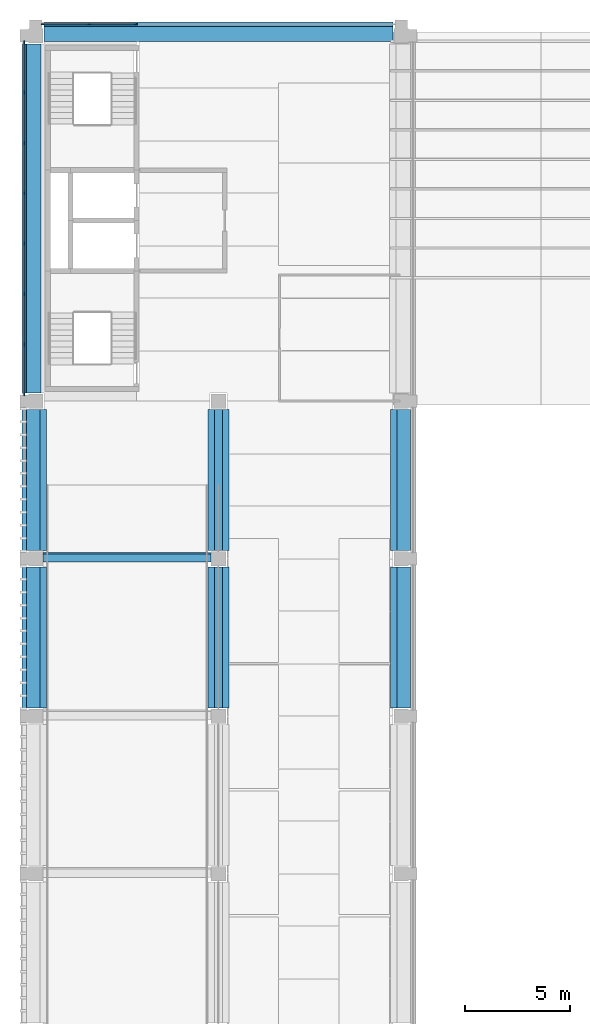
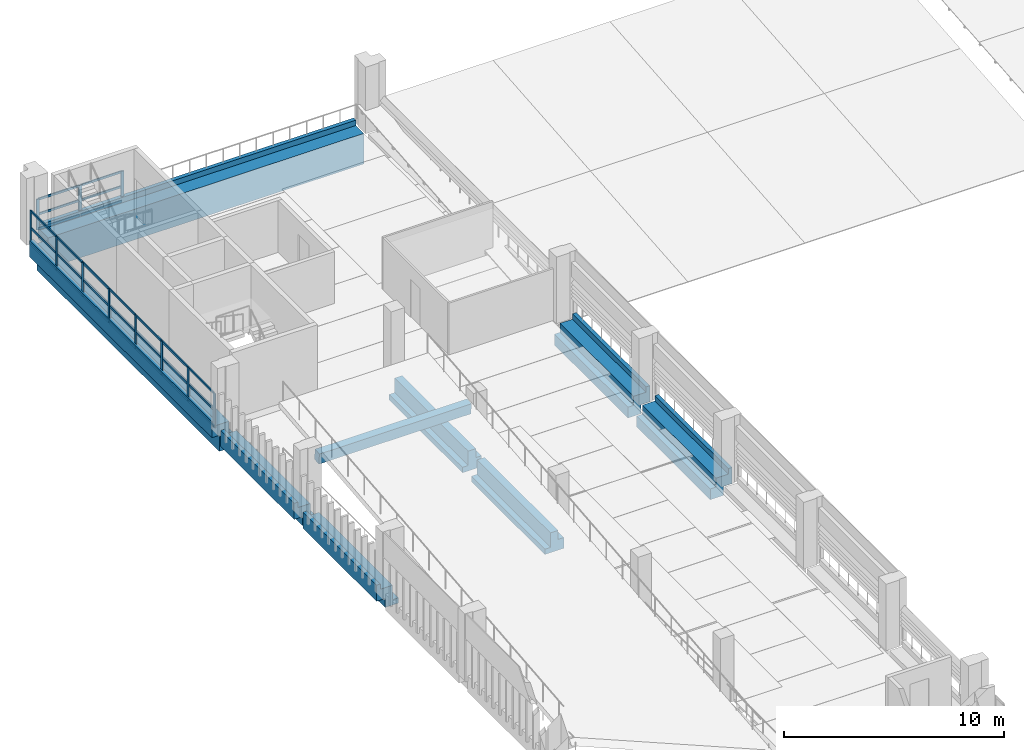
# One storey, part 3 of 24: 38 members, 9 beams, 2 elements without a shape of their own.
"""IFC4 building model written with IfcOpenShell, lengths in metres."""

from ifc_helpers import new_model, si_unit, direction, frame, origin, origin_2d, place, context, subcontext, project, spatial, polyline, rectangle, outline, extrude, material, layer, layer_set, material_profile, profile_set, type_object, element, aggregate, save


model = new_model("IFC4")

# Units and contexts
model_context = context("Model", 3, precision=1e-05, world=origin(), true_north=direction((0.0, 1.0)))
body_context = subcontext(model_context, "Body", "Model", "MODEL_VIEW")
ifc_project = project(units=[si_unit("LENGTHUNIT", "METRE"), si_unit("AREAUNIT", "SQUARE_METRE"), si_unit("VOLUMEUNIT", "CUBIC_METRE"), si_unit("PLANEANGLEUNIT", "RADIAN"), si_unit("MASSUNIT", "GRAM", prefix="KILO")], contexts=[model_context])

# Site, building, storey
site_placement = place(None, origin())
site = spatial("IfcSite", under=ifc_project, at=site_placement, CompositionType="ELEMENT")
building_placement = place(site_placement, origin())
building = spatial("IfcBuilding", under=site, at=building_placement, Name="Cour d'Honneur Mobility Palace", CompositionType="ELEMENT")
storey_placement = place(building_placement, frame((0.0, 0.0, 26.699951171875)))
storey = spatial("IfcBuildingStorey", under=building, at=storey_placement, Name="L07", CompositionType="ELEMENT", Elevation=26.699951171875)

# Curtain wall, members
ifc_material_1 = material(Name="Aluminium and glass", Category="aluminium")
ifc_layer = layer(ifc_material_1, 0.10009765625)
ifc_layer_set = layer_set([ifc_layer], Name="Aluminium and glass")
curtain_wall_type = type_object("IfcCurtainWallType", Name="Curtain wall run", PredefinedType="NOTDEFINED", material=ifc_layer_set)
curtain_wall_1_placement = place(storey_placement, origin())
curtain_wall_1 = element("IfcCurtainWall", 1, at=curtain_wall_1_placement, inside=storey, type_object=curtain_wall_type, Name="Curtain wall CW-108", PredefinedType="NOTDEFINED")
ifc_material_2 = material(Name="Aluminium", Category="aluminium")
ifc_material_profile_1 = material_profile(ifc_material_2, rectangle(XDim=0.06005859375, YDim=0.159912109375, at=origin_2d()), Name="Curtain wall mullion")
ifc_profile_set_1 = profile_set([ifc_material_profile_1], Name="Aluminium")
member_type_1 = type_object("IfcMemberType", Name="Curtain wall mullion", PredefinedType="MULLION", material=ifc_profile_set_1)
member_1_placement = place(storey_placement, frame((4.77001953125, 62.949951171875, 0.0), z_axis=(0.0, 0.0, 1.0), x_axis=(0.0, -1.0, 0.0)))
member_1 = element("IfcMember", 2, at=member_1_placement, type_object=member_type_1, Name="CW-108 mullion 1", PredefinedType="MULLION", context=body_context, shape_type="SweptSolid", body=[
    extrude(rectangle(XDim=0.06005859375, YDim=0.159912109375, at=origin_2d()), origin(), (0.0, 0.0, 1.0), 1.699951171875),
])
member_2_placement = place(storey_placement, frame((2.550048828125, 62.949951171875, 0.0), z_axis=(0.0, 0.0, 1.0), x_axis=(0.0, -1.0, 0.0)))
member_2 = element("IfcMember", 3, at=member_2_placement, type_object=member_type_1, Name="CW-108 mullion 2", PredefinedType="MULLION", context=body_context, shape_type="SweptSolid", body=[
    extrude(rectangle(XDim=0.06005859375, YDim=0.159912109375, at=origin_2d()), origin(), (0.0, 0.0, 1.0), 1.699951171875),
])
member_3_placement = place(storey_placement, frame((0.330078125, 62.949951171875, 0.0), z_axis=(0.0, 0.0, 1.0), x_axis=(0.0, -1.0, 0.0)))
member_3 = element("IfcMember", 4, at=member_3_placement, type_object=member_type_1, Name="CW-108 mullion 3", PredefinedType="MULLION", context=body_context, shape_type="SweptSolid", body=[
    extrude(rectangle(XDim=0.06005859375, YDim=0.159912109375, at=origin_2d()), origin(), (0.0, 0.0, 1.0), 1.699951171875),
])

curtain_wall_2_placement = place(storey_placement, origin())
curtain_wall_2 = element("IfcCurtainWall", 5, at=curtain_wall_2_placement, inside=storey, type_object=curtain_wall_type, Name="Curtain wall CW-109", PredefinedType="NOTDEFINED")
member_4_placement = place(storey_placement, frame((-0.550048828125, 62.070068359375, 0.0), z_axis=(0.0, 0.0, 1.0), x_axis=(1.0, 0.0, 0.0)))
member_4 = element("IfcMember", 6, at=member_4_placement, type_object=member_type_1, Name="CW-109 mullion 1", PredefinedType="MULLION", context=body_context, shape_type="SweptSolid", body=[
    extrude(rectangle(XDim=0.06005859375, YDim=0.159912109375, at=origin_2d()), origin(), (0.0, 0.0, 1.0), 1.900146484375),
])
member_5_placement = place(storey_placement, frame((-0.550048828125, 59.699951171875, 0.0), z_axis=(0.0, 0.0, 1.0), x_axis=(1.0, 0.0, 0.0)))
member_5 = element("IfcMember", 7, at=member_5_placement, type_object=member_type_1, Name="CW-109 mullion 2", PredefinedType="MULLION", context=body_context, shape_type="SweptSolid", body=[
    extrude(rectangle(XDim=0.06005859375, YDim=0.159912109375, at=origin_2d()), origin(), (0.0, 0.0, 1.0), 1.900146484375),
])
member_6_placement = place(storey_placement, frame((-0.550048828125, 57.300048828125, 0.0), z_axis=(0.0, 0.0, 1.0), x_axis=(1.0, 0.0, 0.0)))
member_6 = element("IfcMember", 8, at=member_6_placement, type_object=member_type_1, Name="CW-109 mullion 3", PredefinedType="MULLION", context=body_context, shape_type="SweptSolid", body=[
    extrude(rectangle(XDim=0.06005859375, YDim=0.159912109375, at=origin_2d()), origin(), (0.0, 0.0, 1.0), 1.900146484375),
])
member_7_placement = place(storey_placement, frame((-0.550048828125, 54.89990234375, 0.0), z_axis=(0.0, 0.0, 1.0), x_axis=(1.0, 0.0, 0.0)))
member_7 = element("IfcMember", 9, at=member_7_placement, type_object=member_type_1, Name="CW-109 mullion 4", PredefinedType="MULLION", context=body_context, shape_type="SweptSolid", body=[
    extrude(rectangle(XDim=0.06005859375, YDim=0.159912109375, at=origin_2d()), origin(), (0.0, 0.0, 1.0), 1.900146484375),
])
member_8_placement = place(storey_placement, frame((-0.550048828125, 52.5, 0.0), z_axis=(0.0, 0.0, 1.0), x_axis=(1.0, 0.0, 0.0)))
member_8 = element("IfcMember", 10, at=member_8_placement, type_object=member_type_1, Name="CW-109 mullion 5", PredefinedType="MULLION", context=body_context, shape_type="SweptSolid", body=[
    extrude(rectangle(XDim=0.06005859375, YDim=0.159912109375, at=origin_2d()), origin(), (0.0, 0.0, 1.0), 1.900146484375),
])
member_9_placement = place(storey_placement, frame((-0.550048828125, 50.10009765625, 0.0), z_axis=(0.0, 0.0, 1.0), x_axis=(1.0, 0.0, 0.0)))
member_9 = element("IfcMember", 11, at=member_9_placement, type_object=member_type_1, Name="CW-109 mullion 6", PredefinedType="MULLION", context=body_context, shape_type="SweptSolid", body=[
    extrude(rectangle(XDim=0.06005859375, YDim=0.159912109375, at=origin_2d()), origin(), (0.0, 0.0, 1.0), 1.900146484375),
])
member_10_placement = place(storey_placement, frame((-0.550048828125, 47.699951171875, 0.0), z_axis=(0.0, 0.0, 1.0), x_axis=(1.0, 0.0, 0.0)))
member_10 = element("IfcMember", 12, at=member_10_placement, type_object=member_type_1, Name="CW-109 mullion 7", PredefinedType="MULLION", context=body_context, shape_type="SweptSolid", body=[
    extrude(rectangle(XDim=0.06005859375, YDim=0.159912109375, at=origin_2d()), origin(), (0.0, 0.0, 1.0), 1.900146484375),
])
member_11_placement = place(storey_placement, frame((-0.550048828125, 45.330078125, 0.0), z_axis=(0.0, 0.0, 1.0), x_axis=(1.0, 0.0, 0.0)))
member_11 = element("IfcMember", 13, at=member_11_placement, type_object=member_type_1, Name="CW-109 mullion 8", PredefinedType="MULLION", context=body_context, shape_type="SweptSolid", body=[
    extrude(rectangle(XDim=0.06005859375, YDim=0.159912109375, at=origin_2d()), origin(), (0.0, 0.0, 1.0), 1.900146484375),
])

# Member
ifc_material_3 = material(Name="Aluminium", Category="aluminium")
ifc_material_profile_2 = material_profile(ifc_material_3, rectangle(XDim=0.06005859375, YDim=0.1201171875, at=origin_2d()), Name="Curtain wall transom")
ifc_profile_set_2 = profile_set([ifc_material_profile_2], Name="Aluminium")
member_type_2 = type_object("IfcMemberType", Name="Curtain wall transom", PredefinedType="USERDEFINED", material=ifc_profile_set_2)
member_12_placement = place(storey_placement, frame((4.739990234375, 62.949951171875, 0.030029296875), z_axis=(-1.0, 0.0, 0.0), x_axis=(0.0, -1.0, 0.0)))
member_12 = element("IfcMember", 14, at=member_12_placement, type_object=member_type_2, Name="CW-108 transom 1.1", ObjectType="TRANSOM", PredefinedType="USERDEFINED", context=body_context, shape_type="SweptSolid", body=[
    extrude(rectangle(XDim=0.06005859375, YDim=0.1201171875, at=origin_2d()), origin(), (0.0, 0.0, 1.0), 2.159912109375),
])

member_13_placement = place(storey_placement, frame((4.739990234375, 62.949951171875, 0.85009765625), z_axis=(-1.0, 0.0, 0.0), x_axis=(0.0, -1.0, 0.0)))
member_13 = element("IfcMember", 15, at=member_13_placement, type_object=member_type_2, Name="CW-108 transom 1.2", ObjectType="TRANSOM", PredefinedType="USERDEFINED", context=body_context, shape_type="SweptSolid", body=[
    extrude(rectangle(XDim=0.06005859375, YDim=0.1201171875, at=origin_2d()), origin(), (0.0, 0.0, 1.0), 2.159912109375),
])

member_14_placement = place(storey_placement, frame((4.739990234375, 62.949951171875, 1.670166015625), z_axis=(-1.0, 0.0, 0.0), x_axis=(0.0, -1.0, 0.0)))
member_14 = element("IfcMember", 16, at=member_14_placement, type_object=member_type_2, Name="CW-108 transom 1.3", ObjectType="TRANSOM", PredefinedType="USERDEFINED", context=body_context, shape_type="SweptSolid", body=[
    extrude(rectangle(XDim=0.06005859375, YDim=0.1201171875, at=origin_2d()), origin(), (0.0, 0.0, 1.0), 2.159912109375),
])

member_15_placement = place(storey_placement, frame((2.52001953125, 62.949951171875, 0.030029296875), z_axis=(-1.0, 0.0, 0.0), x_axis=(0.0, -1.0, 0.0)))
member_15 = element("IfcMember", 17, at=member_15_placement, type_object=member_type_2, Name="CW-108 transom 2.1", ObjectType="TRANSOM", PredefinedType="USERDEFINED", context=body_context, shape_type="SweptSolid", body=[
    extrude(rectangle(XDim=0.06005859375, YDim=0.1201171875, at=origin_2d()), origin(), (0.0, 0.0, 1.0), 2.159912109375),
])

member_16_placement = place(storey_placement, frame((2.52001953125, 62.949951171875, 0.85009765625), z_axis=(-1.0, 0.0, 0.0), x_axis=(0.0, -1.0, 0.0)))
member_16 = element("IfcMember", 18, at=member_16_placement, type_object=member_type_2, Name="CW-108 transom 2.2", ObjectType="TRANSOM", PredefinedType="USERDEFINED", context=body_context, shape_type="SweptSolid", body=[
    extrude(rectangle(XDim=0.06005859375, YDim=0.1201171875, at=origin_2d()), origin(), (0.0, 0.0, 1.0), 2.159912109375),
])

member_17_placement = place(storey_placement, frame((2.52001953125, 62.949951171875, 1.670166015625), z_axis=(-1.0, 0.0, 0.0), x_axis=(0.0, -1.0, 0.0)))
member_17 = element("IfcMember", 19, at=member_17_placement, type_object=member_type_2, Name="CW-108 transom 2.3", ObjectType="TRANSOM", PredefinedType="USERDEFINED", context=body_context, shape_type="SweptSolid", body=[
    extrude(rectangle(XDim=0.06005859375, YDim=0.1201171875, at=origin_2d()), origin(), (0.0, 0.0, 1.0), 2.159912109375),
])

aggregate(curtain_wall_1, [member_1, member_2, member_3, member_12, member_13, member_14, member_15, member_16, member_17])

member_18_placement = place(storey_placement, frame((-0.550048828125, 62.0400390625, 0.030029296875), z_axis=(0.0, -1.0, 0.0), x_axis=(1.0, 0.0, 0.0)))
member_18 = element("IfcMember", 20, at=member_18_placement, type_object=member_type_2, Name="CW-109 transom 1.1", ObjectType="TRANSOM", PredefinedType="USERDEFINED", context=body_context, shape_type="SweptSolid", body=[
    extrude(rectangle(XDim=0.06005859375, YDim=0.1201171875, at=origin_2d()), origin(), (0.0, 0.0, 1.0), 2.31005859375),
])

member_19_placement = place(storey_placement, frame((-0.550048828125, 62.0400390625, 0.949951171875), z_axis=(0.0, -1.0, 0.0), x_axis=(1.0, 0.0, 0.0)))
member_19 = element("IfcMember", 21, at=member_19_placement, type_object=member_type_2, Name="CW-109 transom 1.2", ObjectType="TRANSOM", PredefinedType="USERDEFINED", context=body_context, shape_type="SweptSolid", body=[
    extrude(rectangle(XDim=0.06005859375, YDim=0.1201171875, at=origin_2d()), origin(), (0.0, 0.0, 1.0), 2.31005859375),
])

member_20_placement = place(storey_placement, frame((-0.550048828125, 62.0400390625, 1.8701171875), z_axis=(0.0, -1.0, 0.0), x_axis=(1.0, 0.0, 0.0)))
member_20 = element("IfcMember", 22, at=member_20_placement, type_object=member_type_2, Name="CW-109 transom 1.3", ObjectType="TRANSOM", PredefinedType="USERDEFINED", context=body_context, shape_type="SweptSolid", body=[
    extrude(rectangle(XDim=0.06005859375, YDim=0.1201171875, at=origin_2d()), origin(), (0.0, 0.0, 1.0), 2.31005859375),
])

member_21_placement = place(storey_placement, frame((-0.550048828125, 59.669921875, 0.030029296875), z_axis=(0.0, -1.0, 0.0), x_axis=(1.0, 0.0, 0.0)))
member_21 = element("IfcMember", 23, at=member_21_placement, type_object=member_type_2, Name="CW-109 transom 2.1", ObjectType="TRANSOM", PredefinedType="USERDEFINED", context=body_context, shape_type="SweptSolid", body=[
    extrude(rectangle(XDim=0.06005859375, YDim=0.1201171875, at=origin_2d()), origin(), (0.0, 0.0, 1.0), 2.33984375),
])

member_22_placement = place(storey_placement, frame((-0.550048828125, 59.669921875, 0.949951171875), z_axis=(0.0, -1.0, 0.0), x_axis=(1.0, 0.0, 0.0)))
member_22 = element("IfcMember", 24, at=member_22_placement, type_object=member_type_2, Name="CW-109 transom 2.2", ObjectType="TRANSOM", PredefinedType="USERDEFINED", context=body_context, shape_type="SweptSolid", body=[
    extrude(rectangle(XDim=0.06005859375, YDim=0.1201171875, at=origin_2d()), origin(), (0.0, 0.0, 1.0), 2.33984375),
])

member_23_placement = place(storey_placement, frame((-0.550048828125, 59.669921875, 1.8701171875), z_axis=(0.0, -1.0, 0.0), x_axis=(1.0, 0.0, 0.0)))
member_23 = element("IfcMember", 25, at=member_23_placement, type_object=member_type_2, Name="CW-109 transom 2.3", ObjectType="TRANSOM", PredefinedType="USERDEFINED", context=body_context, shape_type="SweptSolid", body=[
    extrude(rectangle(XDim=0.06005859375, YDim=0.1201171875, at=origin_2d()), origin(), (0.0, 0.0, 1.0), 2.33984375),
])

member_24_placement = place(storey_placement, frame((-0.550048828125, 57.27001953125, 0.030029296875), z_axis=(0.0, -1.0, 0.0), x_axis=(1.0, 0.0, 0.0)))
member_24 = element("IfcMember", 26, at=member_24_placement, type_object=member_type_2, Name="CW-109 transom 3.1", ObjectType="TRANSOM", PredefinedType="USERDEFINED", context=body_context, shape_type="SweptSolid", body=[
    extrude(rectangle(XDim=0.06005859375, YDim=0.1201171875, at=origin_2d()), origin(), (0.0, 0.0, 1.0), 2.340087890625),
])

member_25_placement = place(storey_placement, frame((-0.550048828125, 57.27001953125, 0.949951171875), z_axis=(0.0, -1.0, 0.0), x_axis=(1.0, 0.0, 0.0)))
member_25 = element("IfcMember", 27, at=member_25_placement, type_object=member_type_2, Name="CW-109 transom 3.2", ObjectType="TRANSOM", PredefinedType="USERDEFINED", context=body_context, shape_type="SweptSolid", body=[
    extrude(rectangle(XDim=0.06005859375, YDim=0.1201171875, at=origin_2d()), origin(), (0.0, 0.0, 1.0), 2.340087890625),
])

member_26_placement = place(storey_placement, frame((-0.550048828125, 57.27001953125, 1.8701171875), z_axis=(0.0, -1.0, 0.0), x_axis=(1.0, 0.0, 0.0)))
member_26 = element("IfcMember", 28, at=member_26_placement, type_object=member_type_2, Name="CW-109 transom 3.3", ObjectType="TRANSOM", PredefinedType="USERDEFINED", context=body_context, shape_type="SweptSolid", body=[
    extrude(rectangle(XDim=0.06005859375, YDim=0.1201171875, at=origin_2d()), origin(), (0.0, 0.0, 1.0), 2.340087890625),
])

member_27_placement = place(storey_placement, frame((-0.550048828125, 54.8701171875, 0.030029296875), z_axis=(0.0, -1.0, 0.0), x_axis=(1.0, 0.0, 0.0)))
member_27 = element("IfcMember", 29, at=member_27_placement, type_object=member_type_2, Name="CW-109 transom 4.1", ObjectType="TRANSOM", PredefinedType="USERDEFINED", context=body_context, shape_type="SweptSolid", body=[
    extrude(rectangle(XDim=0.06005859375, YDim=0.1201171875, at=origin_2d()), origin(), (0.0, 0.0, 1.0), 2.340087890625),
])

member_28_placement = place(storey_placement, frame((-0.550048828125, 54.8701171875, 0.949951171875), z_axis=(0.0, -1.0, 0.0), x_axis=(1.0, 0.0, 0.0)))
member_28 = element("IfcMember", 30, at=member_28_placement, type_object=member_type_2, Name="CW-109 transom 4.2", ObjectType="TRANSOM", PredefinedType="USERDEFINED", context=body_context, shape_type="SweptSolid", body=[
    extrude(rectangle(XDim=0.06005859375, YDim=0.1201171875, at=origin_2d()), origin(), (0.0, 0.0, 1.0), 2.340087890625),
])

member_29_placement = place(storey_placement, frame((-0.550048828125, 54.8701171875, 1.8701171875), z_axis=(0.0, -1.0, 0.0), x_axis=(1.0, 0.0, 0.0)))
member_29 = element("IfcMember", 31, at=member_29_placement, type_object=member_type_2, Name="CW-109 transom 4.3", ObjectType="TRANSOM", PredefinedType="USERDEFINED", context=body_context, shape_type="SweptSolid", body=[
    extrude(rectangle(XDim=0.06005859375, YDim=0.1201171875, at=origin_2d()), origin(), (0.0, 0.0, 1.0), 2.340087890625),
])

member_30_placement = place(storey_placement, frame((-0.550048828125, 52.469970703125, 0.030029296875), z_axis=(0.0, -1.0, 0.0), x_axis=(1.0, 0.0, 0.0)))
member_30 = element("IfcMember", 32, at=member_30_placement, type_object=member_type_2, Name="CW-109 transom 5.1", ObjectType="TRANSOM", PredefinedType="USERDEFINED", context=body_context, shape_type="SweptSolid", body=[
    extrude(rectangle(XDim=0.06005859375, YDim=0.1201171875, at=origin_2d()), origin(), (0.0, 0.0, 1.0), 2.340087890625),
])

member_31_placement = place(storey_placement, frame((-0.550048828125, 52.469970703125, 0.949951171875), z_axis=(0.0, -1.0, 0.0), x_axis=(1.0, 0.0, 0.0)))
member_31 = element("IfcMember", 33, at=member_31_placement, type_object=member_type_2, Name="CW-109 transom 5.2", ObjectType="TRANSOM", PredefinedType="USERDEFINED", context=body_context, shape_type="SweptSolid", body=[
    extrude(rectangle(XDim=0.06005859375, YDim=0.1201171875, at=origin_2d()), origin(), (0.0, 0.0, 1.0), 2.340087890625),
])

member_32_placement = place(storey_placement, frame((-0.550048828125, 52.469970703125, 1.8701171875), z_axis=(0.0, -1.0, 0.0), x_axis=(1.0, 0.0, 0.0)))
member_32 = element("IfcMember", 34, at=member_32_placement, type_object=member_type_2, Name="CW-109 transom 5.3", ObjectType="TRANSOM", PredefinedType="USERDEFINED", context=body_context, shape_type="SweptSolid", body=[
    extrude(rectangle(XDim=0.06005859375, YDim=0.1201171875, at=origin_2d()), origin(), (0.0, 0.0, 1.0), 2.340087890625),
])

member_33_placement = place(storey_placement, frame((-0.550048828125, 50.070068359375, 0.030029296875), z_axis=(0.0, -1.0, 0.0), x_axis=(1.0, 0.0, 0.0)))
member_33 = element("IfcMember", 35, at=member_33_placement, type_object=member_type_2, Name="CW-109 transom 6.1", ObjectType="TRANSOM", PredefinedType="USERDEFINED", context=body_context, shape_type="SweptSolid", body=[
    extrude(rectangle(XDim=0.06005859375, YDim=0.1201171875, at=origin_2d()), origin(), (0.0, 0.0, 1.0), 2.340087890625),
])

member_34_placement = place(storey_placement, frame((-0.550048828125, 50.070068359375, 0.949951171875), z_axis=(0.0, -1.0, 0.0), x_axis=(1.0, 0.0, 0.0)))
member_34 = element("IfcMember", 36, at=member_34_placement, type_object=member_type_2, Name="CW-109 transom 6.2", ObjectType="TRANSOM", PredefinedType="USERDEFINED", context=body_context, shape_type="SweptSolid", body=[
    extrude(rectangle(XDim=0.06005859375, YDim=0.1201171875, at=origin_2d()), origin(), (0.0, 0.0, 1.0), 2.340087890625),
])

member_35_placement = place(storey_placement, frame((-0.550048828125, 50.070068359375, 1.8701171875), z_axis=(0.0, -1.0, 0.0), x_axis=(1.0, 0.0, 0.0)))
member_35 = element("IfcMember", 37, at=member_35_placement, type_object=member_type_2, Name="CW-109 transom 6.3", ObjectType="TRANSOM", PredefinedType="USERDEFINED", context=body_context, shape_type="SweptSolid", body=[
    extrude(rectangle(XDim=0.06005859375, YDim=0.1201171875, at=origin_2d()), origin(), (0.0, 0.0, 1.0), 2.340087890625),
])

member_36_placement = place(storey_placement, frame((-0.550048828125, 47.669921875, 0.030029296875), z_axis=(0.0, -1.0, 0.0), x_axis=(1.0, 0.0, 0.0)))
member_36 = element("IfcMember", 38, at=member_36_placement, type_object=member_type_2, Name="CW-109 transom 7.1", ObjectType="TRANSOM", PredefinedType="USERDEFINED", context=body_context, shape_type="SweptSolid", body=[
    extrude(rectangle(XDim=0.06005859375, YDim=0.1201171875, at=origin_2d()), origin(), (0.0, 0.0, 1.0), 2.309814453125),
])

member_37_placement = place(storey_placement, frame((-0.550048828125, 47.669921875, 0.949951171875), z_axis=(0.0, -1.0, 0.0), x_axis=(1.0, 0.0, 0.0)))
member_37 = element("IfcMember", 39, at=member_37_placement, type_object=member_type_2, Name="CW-109 transom 7.2", ObjectType="TRANSOM", PredefinedType="USERDEFINED", context=body_context, shape_type="SweptSolid", body=[
    extrude(rectangle(XDim=0.06005859375, YDim=0.1201171875, at=origin_2d()), origin(), (0.0, 0.0, 1.0), 2.309814453125),
])

member_38_placement = place(storey_placement, frame((-0.550048828125, 47.669921875, 1.8701171875), z_axis=(0.0, -1.0, 0.0), x_axis=(1.0, 0.0, 0.0)))
member_38 = element("IfcMember", 40, at=member_38_placement, type_object=member_type_2, Name="CW-109 transom 7.3", ObjectType="TRANSOM", PredefinedType="USERDEFINED", context=body_context, shape_type="SweptSolid", body=[
    extrude(rectangle(XDim=0.06005859375, YDim=0.1201171875, at=origin_2d()), origin(), (0.0, 0.0, 1.0), 2.309814453125),
])

aggregate(curtain_wall_2, [member_4, member_5, member_6, member_7, member_8, member_9, member_10, member_11, member_18, member_19, member_20, member_21, member_22, member_23, member_24, member_25, member_26, member_27, member_28, member_29, member_30, member_31, member_32, member_33, member_34, member_35, member_36, member_37, member_38])

# Beams
ifc_material_4 = material(Name="Concrete C45", Category="concrete")
ifc_material_profile_3 = material_profile(ifc_material_4, outline(polyline([(0.27490234375, -1.699951171875), (0.27490234375, -0.60009765625), (0.64990234375, -0.60009765625), (0.64990234375, 0.300048828125), (0.449951171875, 0.300048828125), (0.449951171875, 0.0), (0.27490234375, 0.0), (-0.27490234375, 0.0), (-0.27490234375, -1.699951171875), (0.27490234375, -1.699951171875)])), Name="Edge Spandrel Beam 550x1700 no ledge facade left")
ifc_profile_set_3 = profile_set([ifc_material_profile_3], Name="Concrete C45")
beam_type_1 = type_object("IfcBeamType", Name="Edge Spandrel Beam 550x1700 no ledge facade left", PredefinedType="SPANDREL", material=ifc_profile_set_3)
beam_1_placement = place(storey_placement, frame((0.39990234375, 62.39990234375, 0.0), z_axis=(1.0, 0.0, 0.0), x_axis=(0.0, 1.0, 0.0)))
element("IfcBeam", 41, at=beam_1_placement, inside=storey, type_object=beam_type_1, Name="Precast beam B7 1-2 L07", PredefinedType="SPANDREL", context=body_context, shape_type="SweptSolid", body=[
    extrude(outline(polyline([(0.27490234375, -1.699951171875), (0.27490234375, -0.60009765625), (0.64990234375, -0.60009765625), (0.64990234375, 0.300048828125), (0.449951171875, 0.300048828125), (0.449951171875, 0.0), (0.27490234375, 0.0), (-0.27490234375, 0.0), (-0.27490234375, -1.699951171875), (0.27490234375, -1.699951171875)])), origin(), (0.0, 0.0, 1.0), 16.60009765625),
])
ifc_material_5 = material(Name="Concrete C45", Category="concrete")
ifc_material_profile_4 = material_profile(ifc_material_5, outline(polyline([(0.5, -1.10009765625), (0.5, -0.800048828125), (0.199951171875, -0.800048828125), (0.199951171875, 0.0), (-0.199951171875, 0.0), (-0.199951171875, -0.5), (-0.5, -0.5), (-0.5, -1.10009765625), (0.5, -1.10009765625)])), Name="Inverted Tee Beam 400x1100 ledges 300/600 plain")
ifc_profile_set_4 = profile_set([ifc_material_profile_4], Name="Concrete C45")
beam_type_2 = type_object("IfcBeamType", Name="Inverted Tee Beam 400x1100 ledges 300/600 plain", PredefinedType="T_BEAM", material=ifc_profile_set_4)
for number, where, z_axis, x_axis, name in (
    (42, (8.699951171875, 30.39990234375, 0.0), (0.0, 1.0, 0.0), (-1.0, 0.0, 0.0), "Precast beam B11 E-F L07"),
    (43, (8.699951171875, 37.89990234375, 0.0), (0.0, 1.0, 0.0), (-1.0, 0.0, 0.0), "Precast beam B11 F-G L07"),
):
    element("IfcBeam", number, at=place(storey_placement, frame(where, z_axis=z_axis, x_axis=x_axis)), inside=storey, type_object=beam_type_2, Name=name, PredefinedType="T_BEAM", context=body_context, shape_type="SweptSolid", body=[
        extrude(outline(polyline([(0.5, -1.10009765625), (0.5, -0.800048828125), (0.199951171875, -0.800048828125), (0.199951171875, 0.0), (-0.199951171875, 0.0), (-0.199951171875, -0.5), (-0.5, -0.5), (-0.5, -1.10009765625), (0.5, -1.10009765625)])), origin(), (0.0, 0.0, 1.0), 6.7001953125),
    ])
ifc_material_6 = material(Name="Concrete C45", Category="concrete")
ifc_material_profile_5 = material_profile(ifc_material_6, outline(polyline([(0.5, -1.10009765625), (0.5, -0.5), (0.199951171875, -0.5), (0.199951171875, 0.0), (-0.199951171875, 0.0), (-0.449951171875, 0.0), (-0.449951171875, 0.300048828125), (-0.64990234375, 0.300048828125), (-0.64990234375, -0.60009765625), (-0.199951171875, -0.60009765625), (-0.199951171875, -1.10009765625), (0.5, -1.10009765625)])), Name="Ledger Beam 400x1100 ledge left 600 facade right")
ifc_profile_set_5 = profile_set([ifc_material_profile_5], Name="Concrete C45")
beam_type_3 = type_object("IfcBeamType", Name="Ledger Beam 400x1100 ledge left 600 facade right", PredefinedType="BEAM", material=ifc_profile_set_5)
for number, where, z_axis, x_axis, name in (
    (44, (17.39990234375, 30.39990234375, 0.0), (0.0, 1.0, 0.0), (-1.0, 0.0, 0.0), "Precast beam B12 E-F L07"),
    (45, (17.39990234375, 37.89990234375, 0.0), (0.0, 1.0, 0.0), (-1.0, 0.0, 0.0), "Precast beam B12 F-G L07"),
):
    element("IfcBeam", number, at=place(storey_placement, frame(where, z_axis=z_axis, x_axis=x_axis)), inside=storey, type_object=beam_type_3, Name=name, PredefinedType="BEAM", context=body_context, shape_type="SweptSolid", body=[
        extrude(outline(polyline([(0.5, -1.10009765625), (0.5, -0.5), (0.199951171875, -0.5), (0.199951171875, 0.0), (-0.199951171875, 0.0), (-0.449951171875, 0.0), (-0.449951171875, 0.300048828125), (-0.64990234375, 0.300048828125), (-0.64990234375, -0.60009765625), (-0.199951171875, -0.60009765625), (-0.199951171875, -1.10009765625), (0.5, -1.10009765625)])), origin(), (0.0, 0.0, 1.0), 6.7001953125),
    ])
ifc_material_7 = material(Name="Concrete C45", Category="concrete")
ifc_material_profile_6 = material_profile(ifc_material_7, outline(polyline([(0.199951171875, -1.10009765625), (0.199951171875, -0.60009765625), (0.64990234375, -0.60009765625), (0.64990234375, 0.300048828125), (0.449951171875, 0.300048828125), (0.449951171875, 0.0), (0.199951171875, 0.0), (-0.199951171875, 0.0), (-0.199951171875, -0.800048828125), (-0.5, -0.800048828125), (-0.5, -1.10009765625), (0.199951171875, -1.10009765625)])), Name="Ledger Beam 400x1100 ledge right 300 facade left")
ifc_profile_set_6 = profile_set([ifc_material_profile_6], Name="Concrete C45")
beam_type_4 = type_object("IfcBeamType", Name="Ledger Beam 400x1100 ledge right 300 facade left", PredefinedType="BEAM", material=ifc_profile_set_6)
for number, where, z_axis, x_axis, name in (
    (46, (0.0, 30.39990234375, 0.0), (0.0, 1.0, 0.0), (-1.0, 0.0, 0.0), "Precast beam B6 E-F L07"),
    (47, (0.0, 37.89990234375, 0.0), (0.0, 1.0, 0.0), (-1.0, 0.0, 0.0), "Precast beam B6 F-G L07"),
):
    element("IfcBeam", number, at=place(storey_placement, frame(where, z_axis=z_axis, x_axis=x_axis)), inside=storey, type_object=beam_type_4, Name=name, PredefinedType="BEAM", context=body_context, shape_type="SweptSolid", body=[
        extrude(outline(polyline([(0.199951171875, -1.10009765625), (0.199951171875, -0.60009765625), (0.64990234375, -0.60009765625), (0.64990234375, 0.300048828125), (0.449951171875, 0.300048828125), (0.449951171875, 0.0), (0.199951171875, 0.0), (-0.199951171875, 0.0), (-0.199951171875, -0.800048828125), (-0.5, -0.800048828125), (-0.5, -1.10009765625), (0.199951171875, -1.10009765625)])), origin(), (0.0, 0.0, 1.0), 6.7001953125),
    ])
ifc_material_8 = material(Name="Concrete C45", Category="concrete")
ifc_material_profile_7 = material_profile(ifc_material_8, outline(polyline([(0.25, -1.5), (0.25, -0.60009765625), (0.64990234375, -0.60009765625), (0.64990234375, 0.300048828125), (0.449951171875, 0.300048828125), (0.449951171875, 0.0), (0.25, 0.0), (-0.25, 0.0), (-0.25, -0.800048828125), (-0.550048828125, -0.800048828125), (-0.550048828125, -1.5), (0.25, -1.5)])), Name="Ledger Beam 500x1500 ledge right 700 facade left")
ifc_profile_set_7 = profile_set([ifc_material_profile_7], Name="Concrete C45")
beam_type_5 = type_object("IfcBeamType", Name="Ledger Beam 500x1500 ledge right 700 facade left", PredefinedType="BEAM", material=ifc_profile_set_7)
beam_2_placement = place(storey_placement, frame((0.0, 45.39990234375, 0.0), z_axis=(0.0, 1.0, 0.0), x_axis=(-1.0, 0.0, 0.0)))
element("IfcBeam", 48, at=beam_2_placement, inside=storey, type_object=beam_type_5, Name="Precast beam B8 G-H L07", PredefinedType="BEAM", context=body_context, shape_type="SweptSolid", body=[
    extrude(outline(polyline([(0.25, -1.5), (0.25, -0.60009765625), (0.64990234375, -0.60009765625), (0.64990234375, 0.300048828125), (0.449951171875, 0.300048828125), (0.449951171875, 0.0), (0.25, 0.0), (-0.25, 0.0), (-0.25, -0.800048828125), (-0.550048828125, -0.800048828125), (-0.550048828125, -1.5), (0.25, -1.5)])), origin(), (0.0, 0.0, 1.0), 16.60009765625),
])
ifc_material_9 = material(Name="Concrete C40", Category="concrete")
ifc_material_profile_8 = material_profile(ifc_material_9, rectangle(XDim=0.39990234375, YDim=0.60009765625, at=origin_2d()), Name="Ramp cross beam 400x600")
ifc_profile_set_8 = profile_set([ifc_material_profile_8], Name="Concrete C40")
beam_type_6 = type_object("IfcBeamType", Name="Ramp cross beam 400x600", PredefinedType="BEAM", material=ifc_profile_set_8)
beam_3_placement = place(storey_placement, frame((0.35009765625, 37.559814453125, 2.7529296875), z_axis=(1.0, 0.0, 0.0), x_axis=(0.0, 0.995037190449, 0.099503716633)))
element("IfcBeam", 49, at=beam_3_placement, inside=storey, type_object=beam_type_6, Name="Ramp cross beam SW.R7-5", PredefinedType="BEAM", context=body_context, shape_type="SweptSolid", body=[
    extrude(rectangle(XDim=0.39990234375, YDim=0.60009765625, at=origin_2d()), origin(), (0.0, 0.0, 1.0), 8.0),
])

save(model, "model.ifc")
